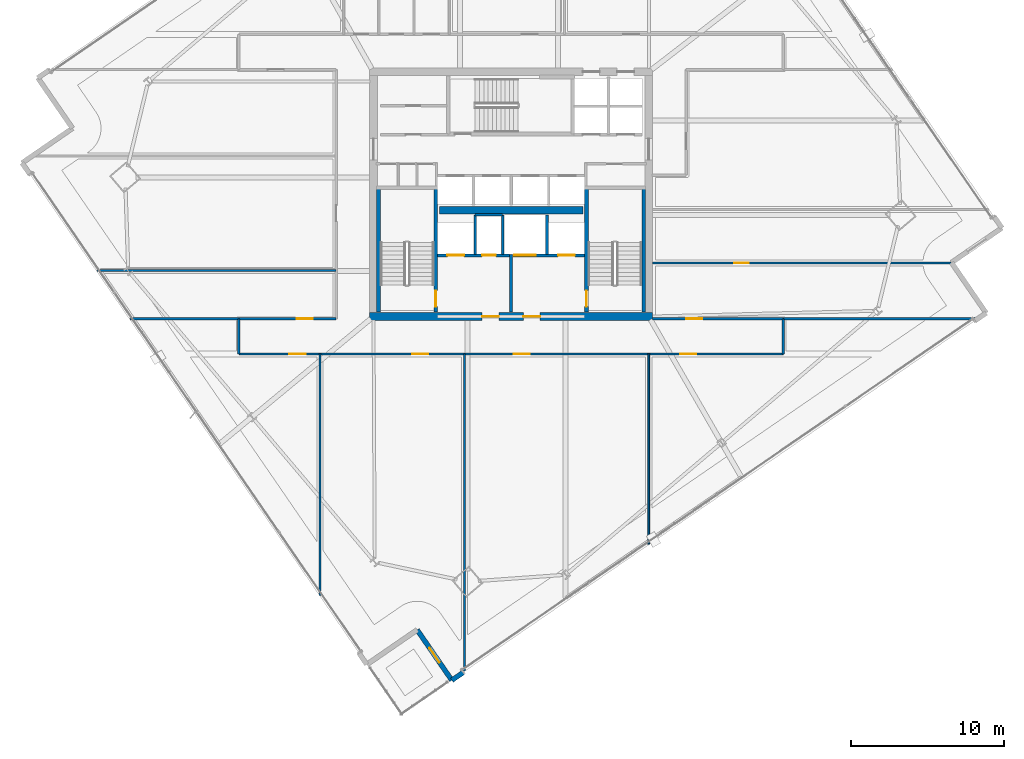
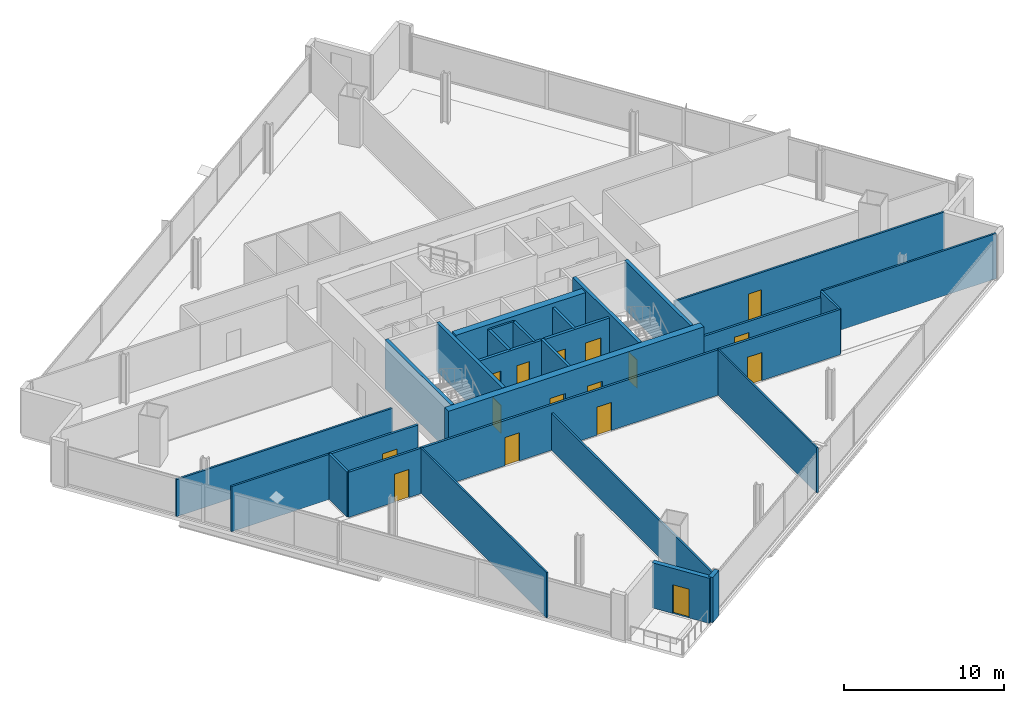
# One storey, part 21 of 29: 27 walls, 16 doors, 16 openings.
"""IFC4 building model written with IfcOpenShell, lengths in metres."""

from ifc_helpers import new_model, si_unit, direction, frame, frame_2d, origin, place, context, subcontext, project, spatial, rectangle, extrude, material, layer, layer_set, type_object, element, fill, save


model = new_model("IFC4")

# Units and contexts
model_context = context("Model", 3, precision=1e-05, world=origin(), true_north=direction((0.0, 1.0)))
body_context = subcontext(model_context, "Body", "Model", "MODEL_VIEW")
ifc_project = project(units=[si_unit("LENGTHUNIT", "METRE"), si_unit("AREAUNIT", "SQUARE_METRE"), si_unit("VOLUMEUNIT", "CUBIC_METRE"), si_unit("PLANEANGLEUNIT", "RADIAN"), si_unit("MASSUNIT", "GRAM", prefix="KILO")], contexts=[model_context])

# Site, building, storey
site_placement = place(None, origin())
site = spatial("IfcSite", under=ifc_project, at=site_placement, CompositionType="ELEMENT")
building_placement = place(site_placement, origin())
building = spatial("IfcBuilding", under=site, at=building_placement, Name="Haldenkirk Collegiate Tower", CompositionType="ELEMENT")
storey_placement = place(building_placement, frame((0.0, 0.0, 144.449951171875)))
storey = spatial("IfcBuildingStorey", under=building, at=storey_placement, Name="L35", CompositionType="ELEMENT", Elevation=144.449951171875)

# Wall, openings, doors
ifc_material_1 = material(Name="Concrete f'c 55 MPa", Category="concrete")
ifc_layer_1 = layer(ifc_material_1, 0.5)
ifc_layer_set_1 = layer_set([ifc_layer_1], Name="Concrete f'c 55 MPa")
wall_type_1 = type_object("IfcWallType", Name="WL-CORE-500", PredefinedType="SHEAR", material=ifc_layer_set_1)
wall_1_placement = place(storey_placement, frame((26.75, 18.0, 0.0), z_axis=(0.0, 0.0, 1.0), x_axis=(1.0, 0.0, 0.0)))
wall_1 = element("IfcWall", 1, at=wall_1_placement, inside=storey, type_object=wall_type_1, Name="L35 central core shear wall S", PredefinedType="SHEAR", context=body_context, shape_type="SweptSolid", body=[
    extrude(rectangle(XDim=18.5, YDim=0.5, at=frame_2d((9.25, 0.0))), origin(), (0.0, 0.0, 1.0), 3.75),
])
opening_1_placement = place(wall_1_placement, frame((7.35009765625, 0.0, 0.0)))
opening_1 = element("IfcOpeningElement", 2, at=opening_1_placement, cuts=wall_1, Name="Opening D-02", PredefinedType="OPENING", context=body_context, shape_type="SweptSolid", body=[
    extrude(rectangle(XDim=1.10009765625, YDim=2.14990234375, at=frame_2d((0.550048828125, 1.074951171875))), frame((0.0, 0.260009765625, 0.0), z_axis=(0.0, -1.0, 0.0), x_axis=(1.0, 0.0, 0.0)), (0.0, 0.0, 1.0), 0.52001953125),
])
opening_2_placement = place(wall_1_placement, frame((10.050048828125, 0.0, 0.0)))
opening_2 = element("IfcOpeningElement", 3, at=opening_2_placement, cuts=wall_1, Name="Opening D-02", PredefinedType="OPENING", context=body_context, shape_type="SweptSolid", body=[
    extrude(rectangle(XDim=1.10009765625, YDim=2.14990234375, at=frame_2d((0.550048828125, 1.074951171875))), frame((0.0, 0.260009765625, 0.0), z_axis=(0.0, -1.0, 0.0), x_axis=(1.0, 0.0, 0.0)), (0.0, 0.0, 1.0), 0.52001953125),
])
ifc_material_2 = material(Name="Galvanized fire-rated hollow steel door", Category="steel")
ifc_layer_2 = layer(ifc_material_2, 0.06005859375)
ifc_layer_set_2 = layer_set([ifc_layer_2], Name="Galvanized fire-rated hollow steel door")
door_type_1 = type_object("IfcDoorType", Name="DR-STAIR-FD90-1100", OperationType="NOTDEFINED", PredefinedType="DOOR", material=ifc_layer_set_2)
door_1_placement = place(opening_1_placement, origin())
door_1 = element("IfcDoor", 4, at=door_1_placement, inside=storey, type_object=door_type_1, Name="L35 Firefighting Lobby 1 door", OperationType="SINGLE_SWING_RIGHT", OverallHeight=2.14990234375, OverallWidth=1.10009765625, PredefinedType="DOOR", context=body_context, shape_type="SweptSolid", body=[
    extrude(rectangle(XDim=1.10009765625, YDim=2.14990234375, at=frame_2d((0.550048828125, 1.074951171875))), frame((0.0, 0.02490234375, 0.0), z_axis=(0.0, -1.0, 0.0), x_axis=(1.0, 0.0, 0.0)), (0.0, 0.0, 1.0), 0.050048828125),
])
fill(opening_1, door_1)
door_2_placement = place(opening_2_placement, origin())
door_2 = element("IfcDoor", 5, at=door_2_placement, inside=storey, type_object=door_type_1, Name="L35 Firefighting Lobby 2 door", OperationType="SINGLE_SWING_LEFT", OverallHeight=2.14990234375, OverallWidth=1.10009765625, PredefinedType="DOOR", context=body_context, shape_type="SweptSolid", body=[
    extrude(rectangle(XDim=1.10009765625, YDim=2.14990234375, at=frame_2d((0.550048828125, 1.074951171875))), frame((0.0, 0.02490234375, 0.0), z_axis=(0.0, -1.0, 0.0), x_axis=(1.0, 0.0, 0.0)), (0.0, 0.0, 1.0), 0.050048828125),
])
fill(opening_2, door_2)

# Walls
wall_2_placement = place(storey_placement, frame((31.31005859375, 24.949951171875, 0.0), z_axis=(0.0, 0.0, 1.0), x_axis=(1.0, 0.0, 0.0)))
element("IfcWall", 6, at=wall_2_placement, inside=storey, type_object=wall_type_1, Name="L35 central core spine shear wall", PredefinedType="SHEAR", context=body_context, shape_type="SweptSolid", body=[
    extrude(rectangle(XDim=9.3798828125, YDim=0.5, at=frame_2d((4.68994140625, 0.0))), origin(), (0.0, 0.0, 1.0), 3.75),
])
ifc_material_3 = material(Name="Precast concrete f'c 40 MPa", Category="concrete")
ifc_layer_3 = layer(ifc_material_3, 0.320068359375)
ifc_layer_set_3 = layer_set([ifc_layer_3], Name="Precast concrete f'c 40 MPa")
wall_type_2 = type_object("IfcWallType", Name="WL-EXT-TWR-320", PredefinedType="STANDARD", material=ifc_layer_set_3)
wall_3_placement = place(storey_placement, frame((32.864013671875, -5.277099609375, 0.0), z_axis=(0.0, 0.0, 1.0), x_axis=(-0.824121066824, -0.566413689114, 0.0)))
element("IfcWall", 7, at=wall_3_placement, inside=storey, type_object=wall_type_2, Name="L35 precast corner pier SR", PredefinedType="STANDARD", context=body_context, shape_type="SweptSolid", body=[
    extrude(rectangle(XDim=0.89990234375, YDim=0.320068359375, at=frame_2d((0.449951171875, 0.0))), origin(), (0.0, 0.0, 1.0), 3.4599609375),
])

# Wall, opening, door
wall_4_placement = place(storey_placement, frame((32.122314453125, -5.786865234375, 0.0), z_axis=(0.0, 0.0, 1.0), x_axis=(-0.566391529966, 0.824136296242, 0.0)))
wall_4 = element("IfcWall", 8, at=wall_4_placement, inside=storey, type_object=wall_type_2, Name="L35 bronze precast notch wall 12", PredefinedType="STANDARD", context=body_context, shape_type="SweptSolid", body=[
    extrude(rectangle(XDim=4.0, YDim=0.320068359375, at=frame_2d((2.0, 0.0))), origin(), (0.0, 0.0, 1.0), 3.4599609375),
])
opening_3_placement = place(wall_4_placement, frame((1.425048828125, 0.0, 0.0)))
opening_3 = element("IfcOpeningElement", 9, at=opening_3_placement, cuts=wall_4, Name="Opening D-ST11", PredefinedType="OPENING", context=body_context, shape_type="SweptSolid", body=[
    extrude(rectangle(XDim=1.14990234375, YDim=2.199951171875, at=frame_2d((0.574951171875, 1.10009765625))), frame((0.0, 0.169921875, 0.0), z_axis=(0.0, -1.0, 0.0), x_axis=(1.0, 0.0, 0.0)), (0.0, 0.0, 1.0), 0.340087890625),
])
ifc_material_4 = material(Name="Anodised architectural bronze aluminium", Category="aluminium")
ifc_layer_4 = layer(ifc_material_4, 0.080078125)
ifc_layer_set_4 = layer_set([ifc_layer_4], Name="Anodised architectural bronze aluminium")
door_type_2 = type_object("IfcDoorType", Name="DR-EXT-STER-1150", OperationType="NOTDEFINED", PredefinedType="DOOR", material=ifc_layer_set_4)
door_3_placement = place(opening_3_placement, origin())
door_3 = element("IfcDoor", 10, at=door_3_placement, inside=storey, type_object=door_type_2, Name="L35 spiralling terrace door", OperationType="SINGLE_SWING_RIGHT", OverallHeight=2.199951171875, OverallWidth=1.14990234375, PredefinedType="DOOR", context=body_context, shape_type="SweptSolid", body=[
    extrude(rectangle(XDim=1.14990234375, YDim=2.199951171875, at=frame_2d((0.574951171875, 1.10009765625))), frame((0.0, 0.02490234375, 0.0), z_axis=(0.0, -1.0, 0.0), x_axis=(1.0, 0.0, 0.0)), (0.0, 0.0, 1.0), 0.050048828125),
])
fill(opening_3, door_3)

# Wall, openings, doors
ifc_material_5 = material(Name="Acoustic fire-rated gypsum partition", Category="concrete")
ifc_layer_5 = layer(ifc_material_5, 0.159912109375)
ifc_layer_set_5 = layer_set([ifc_layer_5], Name="Acoustic fire-rated gypsum partition")
wall_type_3 = type_object("IfcWallType", Name="WL-INT-CORR-160", PredefinedType="PARTITIONING", material=ifc_layer_set_5)
wall_5_placement = place(storey_placement, frame((18.199951171875, 15.550048828125, 0.0), z_axis=(0.0, 0.0, 1.0), x_axis=(1.0, 0.0, 0.0)))
wall_5 = element("IfcWall", 11, at=wall_5_placement, inside=storey, type_object=wall_type_3, Name="L35 interior partition IW-L35-CS", PredefinedType="PARTITIONING", context=body_context, shape_type="SweptSolid", body=[
    extrude(rectangle(XDim=35.60009765625, YDim=0.159912109375, at=frame_2d((17.800048828125, 0.0))), origin(), (0.0, 0.0, 1.0), 3.4599609375),
])
opening_4_placement = place(wall_5_placement, frame((3.304931640625, 0.0, 0.0)))
opening_4 = element("IfcOpeningElement", 12, at=opening_4_placement, cuts=wall_5, Name="Opening D-09", PredefinedType="OPENING", context=body_context, shape_type="SweptSolid", body=[
    extrude(rectangle(XDim=1.050048828125, YDim=2.14990234375, at=frame_2d((0.52490234375, 1.074951171875))), frame((0.0, 0.08984375, 0.0), z_axis=(0.0, -1.0, 0.0), x_axis=(1.0, 0.0, 0.0)), (0.0, 0.0, 1.0), 0.179931640625),
])
opening_5_placement = place(wall_5_placement, frame((11.321044921875, 0.0, 0.0)))
opening_5 = element("IfcOpeningElement", 13, at=opening_5_placement, cuts=wall_5, Name="Opening D-09", PredefinedType="OPENING", context=body_context, shape_type="SweptSolid", body=[
    extrude(rectangle(XDim=1.050048828125, YDim=2.14990234375, at=frame_2d((0.52490234375, 1.074951171875))), frame((0.0, 0.08984375, 0.0), z_axis=(0.0, -1.0, 0.0), x_axis=(1.0, 0.0, 0.0)), (0.0, 0.0, 1.0), 0.179931640625),
])
opening_6_placement = place(wall_5_placement, frame((17.9609375, 0.0, 0.0)))
opening_6 = element("IfcOpeningElement", 14, at=opening_6_placement, cuts=wall_5, Name="Opening D-09", PredefinedType="OPENING", context=body_context, shape_type="SweptSolid", body=[
    extrude(rectangle(XDim=1.050048828125, YDim=2.14990234375, at=frame_2d((0.52490234375, 1.074951171875))), frame((0.0, 0.08984375, 0.0), z_axis=(0.0, -1.0, 0.0), x_axis=(1.0, 0.0, 0.0)), (0.0, 0.0, 1.0), 0.179931640625),
])
opening_7_placement = place(wall_5_placement, frame((28.864990234375, 0.0, 0.0)))
opening_7 = element("IfcOpeningElement", 15, at=opening_7_placement, cuts=wall_5, Name="Opening D-09", PredefinedType="OPENING", context=body_context, shape_type="SweptSolid", body=[
    extrude(rectangle(XDim=1.050048828125, YDim=2.14990234375, at=frame_2d((0.52490234375, 1.074951171875))), frame((0.0, 0.08984375, 0.0), z_axis=(0.0, -1.0, 0.0), x_axis=(1.0, 0.0, 0.0)), (0.0, 0.0, 1.0), 0.179931640625),
])
ifc_material_6 = material(Name="Solid-core architectural oak fire door", Category="wood")
ifc_layer_6 = layer(ifc_material_6, 0.06005859375)
ifc_layer_set_6 = layer_set([ifc_layer_6], Name="Solid-core architectural oak fire door")
door_type_3 = type_object("IfcDoorType", Name="DR-INT-FD60-1050", OperationType="NOTDEFINED", PredefinedType="DOOR", material=ifc_layer_set_6)
door_4_placement = place(opening_4_placement, origin())
door_4 = element("IfcDoor", 16, at=door_4_placement, inside=storey, type_object=door_type_3, Name="L35 Academic Tea Kitchen 1 door", OperationType="SINGLE_SWING_RIGHT", OverallHeight=2.14990234375, OverallWidth=1.050048828125, PredefinedType="DOOR", context=body_context, shape_type="SweptSolid", body=[
    extrude(rectangle(XDim=1.050048828125, YDim=2.14990234375, at=frame_2d((0.52490234375, 1.074951171875))), frame((0.0, 0.02490234375, 0.0), z_axis=(0.0, -1.0, 0.0), x_axis=(1.0, 0.0, 0.0)), (0.0, 0.0, 1.0), 0.050048828125),
])
fill(opening_4, door_4)
door_5_placement = place(opening_5_placement, origin())
door_5 = element("IfcDoor", 17, at=door_5_placement, inside=storey, type_object=door_type_3, Name="L35 Faculty Tea Kitchen 2 door", OperationType="SINGLE_SWING_LEFT", OverallHeight=2.14990234375, OverallWidth=1.050048828125, PredefinedType="DOOR", context=body_context, shape_type="SweptSolid", body=[
    extrude(rectangle(XDim=1.050048828125, YDim=2.14990234375, at=frame_2d((0.52490234375, 1.074951171875))), frame((0.0, 0.02490234375, 0.0), z_axis=(0.0, -1.0, 0.0), x_axis=(1.0, 0.0, 0.0)), (0.0, 0.0, 1.0), 0.050048828125),
])
fill(opening_5, door_5)
door_6_placement = place(opening_6_placement, origin())
door_6 = element("IfcDoor", 18, at=door_6_placement, inside=storey, type_object=door_type_3, Name="L35 Hospitality Tea Kitchen 3 door", OperationType="SINGLE_SWING_RIGHT", OverallHeight=2.14990234375, OverallWidth=1.050048828125, PredefinedType="DOOR", context=body_context, shape_type="SweptSolid", body=[
    extrude(rectangle(XDim=1.050048828125, YDim=2.14990234375, at=frame_2d((0.52490234375, 1.074951171875))), frame((0.0, 0.02490234375, 0.0), z_axis=(0.0, -1.0, 0.0), x_axis=(1.0, 0.0, 0.0)), (0.0, 0.0, 1.0), 0.050048828125),
])
fill(opening_6, door_6)
door_7_placement = place(opening_7_placement, origin())
door_7 = element("IfcDoor", 19, at=door_7_placement, inside=storey, type_object=door_type_3, Name="L35 Faculty Office 4 door", OperationType="SINGLE_SWING_LEFT", OverallHeight=2.14990234375, OverallWidth=1.050048828125, PredefinedType="DOOR", context=body_context, shape_type="SweptSolid", body=[
    extrude(rectangle(XDim=1.050048828125, YDim=2.14990234375, at=frame_2d((0.52490234375, 1.074951171875))), frame((0.0, 0.02490234375, 0.0), z_axis=(0.0, -1.0, 0.0), x_axis=(1.0, 0.0, 0.0)), (0.0, 0.0, 1.0), 0.050048828125),
])
fill(opening_7, door_7)

# Wall, opening, door
wall_6_placement = place(storey_placement, frame((18.199951171875, 17.85009765625, 0.0), z_axis=(0.0, 0.0, 1.0), x_axis=(1.0, 0.0, 0.0)))
wall_6 = element("IfcWall", 20, at=wall_6_placement, inside=storey, type_object=wall_type_3, Name="L35 interior partition IW-L35-CSW", PredefinedType="PARTITIONING", context=body_context, shape_type="SweptSolid", body=[
    extrude(rectangle(XDim=6.35009765625, YDim=0.159912109375, at=frame_2d((3.175048828125, 0.0))), origin(), (0.0, 0.0, 1.0), 3.4599609375),
])
opening_8_placement = place(wall_6_placement, frame((3.79296875, 0.0, 0.0)))
opening_8 = element("IfcOpeningElement", 21, at=opening_8_placement, cuts=wall_6, Name="Opening D-09", PredefinedType="OPENING", context=body_context, shape_type="SweptSolid", body=[
    extrude(rectangle(XDim=1.050048828125, YDim=2.14990234375, at=frame_2d((0.52490234375, 1.074951171875))), frame((0.0, 0.08984375, 0.0), z_axis=(0.0, -1.0, 0.0), x_axis=(1.0, 0.0, 0.0)), (0.0, 0.0, 1.0), 0.179931640625),
])
door_8_placement = place(opening_8_placement, origin())
door_8 = element("IfcDoor", 22, at=door_8_placement, inside=storey, type_object=door_type_3, Name="L35 Academic Tea Kitchen 7 door", OperationType="SINGLE_SWING_RIGHT", OverallHeight=2.14990234375, OverallWidth=1.050048828125, PredefinedType="DOOR", context=body_context, shape_type="SweptSolid", body=[
    extrude(rectangle(XDim=1.050048828125, YDim=2.14990234375, at=frame_2d((0.52490234375, 1.074951171875))), frame((0.0, 0.02490234375, 0.0), z_axis=(0.0, -1.0, 0.0), x_axis=(1.0, 0.0, 0.0)), (0.0, 0.0, 1.0), 0.050048828125),
])
fill(opening_8, door_8)

wall_7_placement = place(storey_placement, frame((45.25, 17.85009765625, 0.0), z_axis=(0.0, 0.0, 1.0), x_axis=(1.0, 0.0, 0.0)))
wall_7 = element("IfcWall", 23, at=wall_7_placement, inside=storey, type_object=wall_type_3, Name="L35 interior partition IW-L35-CSE", PredefinedType="PARTITIONING", context=body_context, shape_type="SweptSolid", body=[
    extrude(rectangle(XDim=8.550048828125, YDim=0.159912109375, at=frame_2d((4.27490234375, 0.0))), origin(), (0.0, 0.0, 1.0), 2.998046875),
])
opening_9_placement = place(wall_7_placement, frame((2.2109375, 0.0, 0.0)))
opening_9 = element("IfcOpeningElement", 24, at=opening_9_placement, cuts=wall_7, Name="Opening D-09", PredefinedType="OPENING", context=body_context, shape_type="SweptSolid", body=[
    extrude(rectangle(XDim=1.050048828125, YDim=2.14990234375, at=frame_2d((0.52490234375, 1.074951171875))), frame((0.0, 0.08984375, 0.0), z_axis=(0.0, -1.0, 0.0), x_axis=(1.0, 0.0, 0.0)), (0.0, 0.0, 1.0), 0.179931640625),
])
door_9_placement = place(opening_9_placement, origin())
door_9 = element("IfcDoor", 25, at=door_9_placement, inside=storey, type_object=door_type_3, Name="L35 Faculty Office 10 door", OperationType="SINGLE_SWING_LEFT", OverallHeight=2.14990234375, OverallWidth=1.050048828125, PredefinedType="DOOR", context=body_context, shape_type="SweptSolid", body=[
    extrude(rectangle(XDim=1.050048828125, YDim=2.14990234375, at=frame_2d((0.52490234375, 1.074951171875))), frame((0.0, 0.02490234375, 0.0), z_axis=(0.0, -1.0, 0.0), x_axis=(1.0, 0.0, 0.0)), (0.0, 0.0, 1.0), 0.050048828125),
])
fill(opening_9, door_9)

# Walls
for number, where, z_axis, x_axis, name in (
    (26, (18.199951171875, 15.550048828125, 0.0), (0.0, 0.0, 1.0), (0.0, 1.0, 0.0), "L35 interior partition IW-L35-CSL"),
    (27, (53.800048828125, 15.550048828125, 0.0), (0.0, 0.0, 1.0), (0.0, 1.0, 0.0), "L35 interior partition IW-L35-CSR"),
):
    element("IfcWall", number, at=place(storey_placement, frame(where, z_axis=z_axis, x_axis=x_axis)), inside=storey, type_object=wall_type_3, Name=name, PredefinedType="PARTITIONING", context=body_context, shape_type="SweptSolid", body=[
        extrude(rectangle(XDim=2.300048828125, YDim=0.159912109375, at=frame_2d((1.14990234375, 0.0))), origin(), (0.0, 0.0, 1.0), 3.4599609375),
    ])
ifc_layer_7 = layer(ifc_material_5, 0.139892578125)
ifc_layer_set_7 = layer_set([ifc_layer_7], Name="Acoustic fire-rated gypsum partition")
wall_type_4 = type_object("IfcWallType", Name="WL-INT-DIV-140", PredefinedType="PARTITIONING", material=ifc_layer_set_7)
wall_8_placement = place(storey_placement, frame((11.072021484375, 17.85009765625, 0.0), z_axis=(0.0, 0.0, 1.0), x_axis=(1.0, 0.0, 0.0)))
element("IfcWall", 28, at=wall_8_placement, inside=storey, type_object=wall_type_4, Name="L35 interior partition IW-L35-BWS", PredefinedType="PARTITIONING", context=body_context, shape_type="SweptSolid", body=[
    extrude(rectangle(XDim=7.1279296875, YDim=0.139892578125, at=frame_2d((3.56396484375, 0.0))), origin(), (0.0, 0.0, 1.0), 3.4599609375),
])
wall_9_placement = place(storey_placement, frame((53.800048828125, 17.85009765625, 0.0), z_axis=(0.0, 0.0, 1.0), x_axis=(1.0, 0.0, 0.0)))
element("IfcWall", 29, at=wall_9_placement, inside=storey, type_object=wall_type_4, Name="L35 interior partition IW-L35-BES", PredefinedType="PARTITIONING", context=body_context, shape_type="SweptSolid", body=[
    extrude(rectangle(XDim=12.643310546875, YDim=0.139892578125, at=frame_2d((6.32177734375, 0.0))), origin(), (0.0, 0.0, 1.0), 3.4599609375),
])
wall_10_placement = place(storey_placement, frame((32.949951171875, -5.16943359375, 0.0), z_axis=(0.0, 0.0, 1.0), x_axis=(0.0, 1.0, 0.0)))
element("IfcWall", 30, at=wall_10_placement, inside=storey, type_object=wall_type_4, Name="L35 interior partition IW-L35-RS2", PredefinedType="PARTITIONING", context=body_context, shape_type="SweptSolid", body=[
    extrude(rectangle(XDim=20.719482421875, YDim=0.139892578125, at=frame_2d((10.35986328125, 0.0))), origin(), (0.0, 0.0, 1.0), 2.839111328125),
])
wall_11_placement = place(storey_placement, frame((8.906982421875, 21.0, 0.0), z_axis=(0.0, 0.0, 1.0), x_axis=(1.0, 0.0, 0.0)))
element("IfcWall", 31, at=wall_11_placement, inside=storey, type_object=wall_type_4, Name="L35 interior partition IW-L35-RW1", PredefinedType="PARTITIONING", context=body_context, shape_type="SweptSolid", body=[
    extrude(rectangle(XDim=15.64306640625, YDim=0.139892578125, at=frame_2d((7.821533203125, 0.0))), origin(), (0.0, 0.0, 1.0), 2.839111328125),
])

# Wall, opening, door
wall_12_placement = place(storey_placement, frame((45.25, 21.5, 0.0), z_axis=(0.0, 0.0, 1.0), x_axis=(1.0, 0.0, 0.0)))
wall_12 = element("IfcWall", 32, at=wall_12_placement, inside=storey, type_object=wall_type_4, Name="L35 interior partition IW-L35-RE1", PredefinedType="PARTITIONING", context=body_context, shape_type="SweptSolid", body=[
    extrude(rectangle(XDim=19.5185546875, YDim=0.139892578125, at=frame_2d((9.75927734375, 0.0))), origin(), (0.0, 0.0, 1.0), 3.4599609375),
])
opening_10_placement = place(wall_12_placement, frame((5.3310546875, 0.0, 0.0)))
opening_10 = element("IfcOpeningElement", 33, at=opening_10_placement, cuts=wall_12, Name="Opening D-12", PredefinedType="OPENING", context=body_context, shape_type="SweptSolid", body=[
    extrude(rectangle(XDim=0.949951171875, YDim=2.14990234375, at=frame_2d((0.47509765625, 1.074951171875))), frame((0.0, 0.079833984375, 0.0), z_axis=(0.0, -1.0, 0.0), x_axis=(1.0, 0.0, 0.0)), (0.0, 0.0, 1.0), 0.159912109375),
])
ifc_layer_8 = layer(ifc_material_6, 0.06005859375)
ifc_layer_set_8 = layer_set([ifc_layer_8], Name="Solid-core architectural oak fire door")
door_type_4 = type_object("IfcDoorType", Name="DR-INT-STD-950", OperationType="NOTDEFINED", PredefinedType="DOOR", material=ifc_layer_set_8)
door_10_placement = place(opening_10_placement, origin())
door_10 = element("IfcDoor", 34, at=door_10_placement, inside=storey, type_object=door_type_4, Name="L35 Departmental Office 11 door", OperationType="SINGLE_SWING_RIGHT", OverallHeight=2.14990234375, OverallWidth=0.949951171875, PredefinedType="DOOR", context=body_context, shape_type="SweptSolid", body=[
    extrude(rectangle(XDim=0.949951171875, YDim=2.14990234375, at=frame_2d((0.47509765625, 1.074951171875))), frame((0.0, 0.02490234375, 0.0), z_axis=(0.0, -1.0, 0.0), x_axis=(1.0, 0.0, 0.0)), (0.0, 0.0, 1.0), 0.050048828125),
])
fill(opening_10, door_10)

# Walls
ifc_material_7 = material(Name="Fire-rated gypsum shaftboard assembly", Category="concrete")
ifc_layer_9 = layer(ifc_material_7, 0.179931640625)
ifc_layer_set_9 = layer_set([ifc_layer_9], Name="Fire-rated gypsum shaftboard assembly")
wall_type_5 = type_object("IfcWallType", Name="WL-INT-SHAFT-180", PredefinedType="PARTITIONING", material=ifc_layer_set_9)
for number, where, z_axis, x_axis, name in (
    (35, (33.64990234375, 22.050048828125, 0.0), (0.0, 0.0, 1.0), (0.0, 1.0, 0.0), "L35 interior partition IW-L35-FL1E"),
    (36, (35.449951171875, 22.050048828125, 0.0), (0.0, 0.0, 1.0), (0.0, 1.0, 0.0), "L35 interior partition IW-L35-GL1W"),
):
    element("IfcWall", number, at=place(storey_placement, frame(where, z_axis=z_axis, x_axis=x_axis)), inside=storey, type_object=wall_type_5, Name=name, PredefinedType="PARTITIONING", context=body_context, shape_type="SweptSolid", body=[
        extrude(rectangle(XDim=2.599853515625, YDim=0.179931640625, at=frame_2d((1.2998046875, 0.0))), origin(), (0.0, 0.0, 1.0), 3.4599609375),
    ])
wall_13_placement = place(storey_placement, frame((33.64990234375, 24.64990234375, 0.0), z_axis=(0.0, 0.0, 1.0), x_axis=(1.0, 0.0, 0.0)))
element("IfcWall", 37, at=wall_13_placement, inside=storey, type_object=wall_type_5, Name="L35 interior partition IW-L35-RSRN", PredefinedType="PARTITIONING", context=body_context, shape_type="SweptSolid", body=[
    extrude(rectangle(XDim=1.800048828125, YDim=0.179931640625, at=frame_2d((0.89990234375, 0.0))), origin(), (0.0, 0.0, 1.0), 3.4599609375),
])
wall_14_placement = place(storey_placement, frame((38.35009765625, 22.050048828125, 0.0), z_axis=(0.0, 0.0, 1.0), x_axis=(0.0, 1.0, 0.0)))
element("IfcWall", 38, at=wall_14_placement, inside=storey, type_object=wall_type_5, Name="L35 interior partition IW-L35-GL1E", PredefinedType="PARTITIONING", context=body_context, shape_type="SweptSolid", body=[
    extrude(rectangle(XDim=2.599853515625, YDim=0.179931640625, at=frame_2d((1.2998046875, 0.0))), origin(), (0.0, 0.0, 1.0), 3.4599609375),
])
ifc_layer_10 = layer(ifc_material_7, 0.199951171875)
ifc_layer_set_10 = layer_set([ifc_layer_10], Name="Fire-rated gypsum shaftboard assembly")
wall_type_6 = type_object("IfcWallType", Name="WL-INT-SHAFT-200", PredefinedType="PARTITIONING", material=ifc_layer_set_10)
wall_15_placement = place(storey_placement, frame((36.0, 18.280029296875, 0.0), z_axis=(0.0, 0.0, 1.0), x_axis=(0.0, 1.0, 0.0)))
element("IfcWall", 39, at=wall_15_placement, inside=storey, type_object=wall_type_6, Name="L35 interior partition IW-L35-FFLM", PredefinedType="PARTITIONING", context=body_context, shape_type="SweptSolid", body=[
    extrude(rectangle(XDim=3.77001953125, YDim=0.199951171875, at=frame_2d((1.885009765625, 0.0))), origin(), (0.0, 0.0, 1.0), 3.4599609375),
])

# Wall, openings, doors
wall_16_placement = place(storey_placement, frame((31.18994140625, 22.0, 0.0), z_axis=(0.0, 0.0, 1.0), x_axis=(1.0, 0.0, 0.0)))
wall_16 = element("IfcWall", 40, at=wall_16_placement, inside=storey, type_object=wall_type_6, Name="L35 interior partition IW-L35-FFL1N", PredefinedType="PARTITIONING", context=body_context, shape_type="SweptSolid", body=[
    extrude(rectangle(XDim=4.68994140625, YDim=0.199951171875, at=frame_2d((2.344970703125, 0.0))), origin(), (0.0, 0.0, 1.0), 3.4599609375),
])
opening_11_placement = place(wall_16_placement, frame((2.909912109375, 0.0, 0.0)))
opening_11 = element("IfcOpeningElement", 41, at=opening_11_placement, cuts=wall_16, Name="Opening D-06", PredefinedType="OPENING", context=body_context, shape_type="SweptSolid", body=[
    extrude(rectangle(XDim=0.89990234375, YDim=2.14990234375, at=frame_2d((0.449951171875, 1.074951171875))), frame((0.0, 0.10986328125, 0.0), z_axis=(0.0, -1.0, 0.0), x_axis=(1.0, 0.0, 0.0)), (0.0, 0.0, 1.0), 0.219970703125),
])
opening_12_placement = place(wall_16_placement, frame((0.635009765625, 0.0, 0.0)))
opening_12 = element("IfcOpeningElement", 42, at=opening_12_placement, cuts=wall_16, Name="Opening LD-12", PredefinedType="OPENING", context=body_context, shape_type="SweptSolid", body=[
    extrude(rectangle(XDim=1.10009765625, YDim=2.14990234375, at=frame_2d((0.550048828125, 1.074951171875))), frame((0.0, 0.10986328125, 0.0), z_axis=(0.0, -1.0, 0.0), x_axis=(1.0, 0.0, 0.0)), (0.0, 0.0, 1.0), 0.219970703125),
])
ifc_layer_11 = layer(ifc_material_2, 0.06005859375)
ifc_layer_set_11 = layer_set([ifc_layer_11], Name="Galvanized fire-rated hollow steel door")
door_type_5 = type_object("IfcDoorType", Name="DR-INT-FD90-900", OperationType="NOTDEFINED", PredefinedType="DOOR", material=ifc_layer_set_11)
door_11_placement = place(opening_11_placement, origin())
door_11 = element("IfcDoor", 43, at=door_11_placement, inside=storey, type_object=door_type_5, Name="L35 electrical riser door", OperationType="SINGLE_SWING_RIGHT", OverallHeight=2.14990234375, OverallWidth=0.89990234375, PredefinedType="DOOR", context=body_context, shape_type="SweptSolid", body=[
    extrude(rectangle(XDim=0.89990234375, YDim=2.14990234375, at=frame_2d((0.449951171875, 1.074951171875))), frame((0.0, 0.02490234375, 0.0), z_axis=(0.0, -1.0, 0.0), x_axis=(1.0, 0.0, 0.0)), (0.0, 0.0, 1.0), 0.050048828125),
])
fill(opening_11, door_11)
ifc_material_8 = material(Name="Brushed architectural stainless steel", Category="steel")
ifc_layer_12 = layer(ifc_material_8, 0.06005859375)
ifc_layer_set_12 = layer_set([ifc_layer_12], Name="Brushed architectural stainless steel")
door_type_6 = type_object("IfcDoorType", Name="LD-FIRE-1100", OperationType="NOTDEFINED", PredefinedType="DOOR", material=ifc_layer_set_12)
door_12_placement = place(opening_12_placement, origin())
door_12 = element("IfcDoor", 44, at=door_12_placement, inside=storey, type_object=door_type_6, Name="L35 Elevator FL1 sliding landing door", OperationType="SLIDING_TO_LEFT", OverallHeight=2.14990234375, OverallWidth=1.10009765625, PredefinedType="DOOR", context=body_context, shape_type="SweptSolid", body=[
    extrude(rectangle(XDim=1.10009765625, YDim=2.14990234375, at=frame_2d((0.550048828125, 1.074951171875))), frame((0.0, 0.02490234375, 0.0), z_axis=(0.0, -1.0, 0.0), x_axis=(1.0, 0.0, 0.0)), (0.0, 0.0, 1.0), 0.050048828125),
])
fill(opening_12, door_12)

wall_17_placement = place(storey_placement, frame((36.1201171875, 22.0, 0.0), z_axis=(0.0, 0.0, 1.0), x_axis=(1.0, 0.0, 0.0)))
wall_17 = element("IfcWall", 45, at=wall_17_placement, inside=storey, type_object=wall_type_6, Name="L35 interior partition IW-L35-FFL2N", PredefinedType="PARTITIONING", context=body_context, shape_type="SweptSolid", body=[
    extrude(rectangle(XDim=4.68994140625, YDim=0.199951171875, at=frame_2d((2.344970703125, 0.0))), origin(), (0.0, 0.0, 1.0), 3.4599609375),
])
opening_13_placement = place(wall_17_placement, frame((2.955078125, 0.0, 0.0)))
opening_13 = element("IfcOpeningElement", 46, at=opening_13_placement, cuts=wall_17, Name="Opening LD-12", PredefinedType="OPENING", context=body_context, shape_type="SweptSolid", body=[
    extrude(rectangle(XDim=1.10009765625, YDim=2.14990234375, at=frame_2d((0.550048828125, 1.074951171875))), frame((0.0, 0.10986328125, 0.0), z_axis=(0.0, -1.0, 0.0), x_axis=(1.0, 0.0, 0.0)), (0.0, 0.0, 1.0), 0.219970703125),
])
opening_14_placement = place(wall_17_placement, frame((0.080078125, 0.0, 0.0)))
opening_14 = element("IfcOpeningElement", 47, at=opening_14_placement, cuts=wall_17, Name="Opening LD-13", PredefinedType="OPENING", context=body_context, shape_type="SweptSolid", body=[
    extrude(rectangle(XDim=1.39990234375, YDim=2.199951171875, at=frame_2d((0.699951171875, 1.10009765625))), frame((0.0, 0.10986328125, 0.0), z_axis=(0.0, -1.0, 0.0), x_axis=(1.0, 0.0, 0.0)), (0.0, 0.0, 1.0), 0.219970703125),
])
door_13_placement = place(opening_13_placement, origin())
door_13 = element("IfcDoor", 48, at=door_13_placement, inside=storey, type_object=door_type_6, Name="L35 Elevator FL2 sliding landing door", OperationType="SLIDING_TO_LEFT", OverallHeight=2.14990234375, OverallWidth=1.10009765625, PredefinedType="DOOR", context=body_context, shape_type="SweptSolid", body=[
    extrude(rectangle(XDim=1.10009765625, YDim=2.14990234375, at=frame_2d((0.550048828125, 1.074951171875))), frame((0.0, 0.02490234375, 0.0), z_axis=(0.0, -1.0, 0.0), x_axis=(1.0, 0.0, 0.0)), (0.0, 0.0, 1.0), 0.050048828125),
])
fill(opening_13, door_13)
ifc_layer_13 = layer(ifc_material_8, 0.06005859375)
ifc_layer_set_13 = layer_set([ifc_layer_13], Name="Brushed architectural stainless steel")
door_type_7 = type_object("IfcDoorType", Name="LD-GOODS-1400", OperationType="NOTDEFINED", PredefinedType="DOOR", material=ifc_layer_set_13)
door_14_placement = place(opening_14_placement, origin())
door_14 = element("IfcDoor", 49, at=door_14_placement, inside=storey, type_object=door_type_7, Name="L35 Elevator GL1 sliding landing door", OperationType="SLIDING_TO_LEFT", OverallHeight=2.199951171875, OverallWidth=1.39990234375, PredefinedType="DOOR", context=body_context, shape_type="SweptSolid", body=[
    extrude(rectangle(XDim=1.39990234375, YDim=2.199951171875, at=frame_2d((0.699951171875, 1.10009765625))), frame((0.0, 0.02490234375, 0.0), z_axis=(0.0, -1.0, 0.0), x_axis=(1.0, 0.0, 0.0)), (0.0, 0.0, 1.0), 0.050048828125),
])
fill(opening_14, door_14)

# Walls
ifc_layer_14 = layer(ifc_material_5, 0.1201171875)
ifc_layer_set_14 = layer_set([ifc_layer_14], Name="Acoustic fire-rated gypsum partition")
wall_type_7 = type_object("IfcWallType", Name="WL-INT-WET-120", PredefinedType="PARTITIONING", material=ifc_layer_set_14)
wall_18_placement = place(storey_placement, frame((23.5, -0.23291015625, 0.0), z_axis=(0.0, 0.0, 1.0), x_axis=(0.0, 1.0, 0.0)))
element("IfcWall", 50, at=wall_18_placement, inside=storey, type_object=wall_type_7, Name="L35 interior partition IW-L35-RS1", PredefinedType="PARTITIONING", context=body_context, shape_type="SweptSolid", body=[
    extrude(rectangle(XDim=15.782958984375, YDim=0.1201171875, at=frame_2d((7.8916015625, 0.0))), origin(), (0.0, 0.0, 1.0), 3.4599609375),
])
wall_19_placement = place(storey_placement, frame((45.0, 3.1123046875, 0.0), z_axis=(0.0, 0.0, 1.0), x_axis=(0.0, 1.0, 0.0)))
element("IfcWall", 51, at=wall_19_placement, inside=storey, type_object=wall_type_7, Name="L35 interior partition IW-L35-RS3", PredefinedType="PARTITIONING", context=body_context, shape_type="SweptSolid", body=[
    extrude(rectangle(XDim=12.437744140625, YDim=0.1201171875, at=frame_2d((6.21875, 0.0))), origin(), (0.0, 0.0, 1.0), 3.4599609375),
])

# Wall, opening, door
ifc_layer_15 = layer(ifc_material_1, 0.239990234375)
ifc_layer_set_15 = layer_set([ifc_layer_15], Name="Concrete f'c 55 MPa")
wall_type_8 = type_object("IfcWallType", Name="WL-SHAFT-240", PredefinedType="SHEAR", material=ifc_layer_set_15)
wall_20_placement = place(storey_placement, frame((31.070068359375, 18.280029296875, 0.0), z_axis=(0.0, 0.0, 1.0), x_axis=(0.0, 1.0, 0.0)))
wall_20 = element("IfcWall", 52, at=wall_20_placement, inside=storey, type_object=wall_type_8, Name="L35 stair shaft shear wall SW-L35-ST1E", PredefinedType="SHEAR", context=body_context, shape_type="SweptSolid", body=[
    extrude(rectangle(XDim=8.260009765625, YDim=0.239990234375, at=frame_2d((4.1298828125, 0.0))), origin(), (0.0, 0.0, 1.0), 3.75),
])
opening_15_placement = place(wall_20_placement, frame((0.364990234375, 0.0, 0.0)))
opening_15 = element("IfcOpeningElement", 53, at=opening_15_placement, cuts=wall_20, Name="Opening D-01", PredefinedType="OPENING", context=body_context, shape_type="SweptSolid", body=[
    extrude(rectangle(XDim=1.050048828125, YDim=2.14990234375, at=frame_2d((0.52490234375, 1.074951171875))), frame((0.0, 0.1298828125, 0.0), z_axis=(0.0, -1.0, 0.0), x_axis=(1.0, 0.0, 0.0)), (0.0, 0.0, 1.0), 0.260009765625),
])
ifc_layer_16 = layer(ifc_material_2, 0.06005859375)
ifc_layer_set_16 = layer_set([ifc_layer_16], Name="Galvanized fire-rated hollow steel door")
door_type_8 = type_object("IfcDoorType", Name="DR-STAIR-FD90-1050", OperationType="NOTDEFINED", PredefinedType="DOOR", material=ifc_layer_set_16)
door_15_placement = place(opening_15_placement, origin())
door_15 = element("IfcDoor", 54, at=door_15_placement, inside=storey, type_object=door_type_8, Name="L35 Stair 1 door", OperationType="SINGLE_SWING_LEFT", OverallHeight=2.14990234375, OverallWidth=1.050048828125, PredefinedType="DOOR", context=body_context, shape_type="SweptSolid", body=[
    extrude(rectangle(XDim=1.050048828125, YDim=2.14990234375, at=frame_2d((0.52490234375, 1.074951171875))), frame((0.0, 0.02490234375, 0.0), z_axis=(0.0, -1.0, 0.0), x_axis=(1.0, 0.0, 0.0)), (0.0, 0.0, 1.0), 0.050048828125),
])
fill(opening_15, door_15)

# Wall
wall_21_placement = place(storey_placement, frame((27.330078125, 18.280029296875, 0.0), z_axis=(0.0, 0.0, 1.0), x_axis=(0.0, 1.0, 0.0)))
element("IfcWall", 55, at=wall_21_placement, inside=storey, type_object=wall_type_8, Name="L35 stair shaft shear wall SW-L35-ST1W", PredefinedType="SHEAR", context=body_context, shape_type="SweptSolid", body=[
    extrude(rectangle(XDim=8.260009765625, YDim=0.239990234375, at=frame_2d((4.1298828125, 0.0))), origin(), (0.0, 0.0, 1.0), 3.75),
])

# Wall, opening, door
wall_22_placement = place(storey_placement, frame((40.929931640625, 18.280029296875, 0.0), z_axis=(0.0, 0.0, 1.0), x_axis=(0.0, 1.0, 0.0)))
wall_22 = element("IfcWall", 56, at=wall_22_placement, inside=storey, type_object=wall_type_8, Name="L35 stair shaft shear wall SW-L35-ST2W", PredefinedType="SHEAR", context=body_context, shape_type="SweptSolid", body=[
    extrude(rectangle(XDim=8.260009765625, YDim=0.239990234375, at=frame_2d((4.1298828125, 0.0))), origin(), (0.0, 0.0, 1.0), 3.75),
])
opening_16_placement = place(wall_22_placement, frame((0.364990234375, 0.0, 0.0)))
opening_16 = element("IfcOpeningElement", 57, at=opening_16_placement, cuts=wall_22, Name="Opening D-01", PredefinedType="OPENING", context=body_context, shape_type="SweptSolid", body=[
    extrude(rectangle(XDim=1.050048828125, YDim=2.14990234375, at=frame_2d((0.52490234375, 1.074951171875))), frame((0.0, 0.1298828125, 0.0), z_axis=(0.0, -1.0, 0.0), x_axis=(1.0, 0.0, 0.0)), (0.0, 0.0, 1.0), 0.260009765625),
])
door_16_placement = place(opening_16_placement, origin())
door_16 = element("IfcDoor", 58, at=door_16_placement, inside=storey, type_object=door_type_8, Name="L35 Stair 2 door", OperationType="SINGLE_SWING_RIGHT", OverallHeight=2.14990234375, OverallWidth=1.050048828125, PredefinedType="DOOR", context=body_context, shape_type="SweptSolid", body=[
    extrude(rectangle(XDim=1.050048828125, YDim=2.14990234375, at=frame_2d((0.52490234375, 1.074951171875))), frame((0.0, 0.02490234375, 0.0), z_axis=(0.0, -1.0, 0.0), x_axis=(1.0, 0.0, 0.0)), (0.0, 0.0, 1.0), 0.050048828125),
])
fill(opening_16, door_16)

# Wall
wall_23_placement = place(storey_placement, frame((44.669921875, 18.280029296875, 0.0), z_axis=(0.0, 0.0, 1.0), x_axis=(0.0, 1.0, 0.0)))
element("IfcWall", 59, at=wall_23_placement, inside=storey, type_object=wall_type_8, Name="L35 stair shaft shear wall SW-L35-ST2E", PredefinedType="SHEAR", context=body_context, shape_type="SweptSolid", body=[
    extrude(rectangle(XDim=8.260009765625, YDim=0.239990234375, at=frame_2d((4.1298828125, 0.0))), origin(), (0.0, 0.0, 1.0), 3.75),
])

save(model, "model.ifc")
